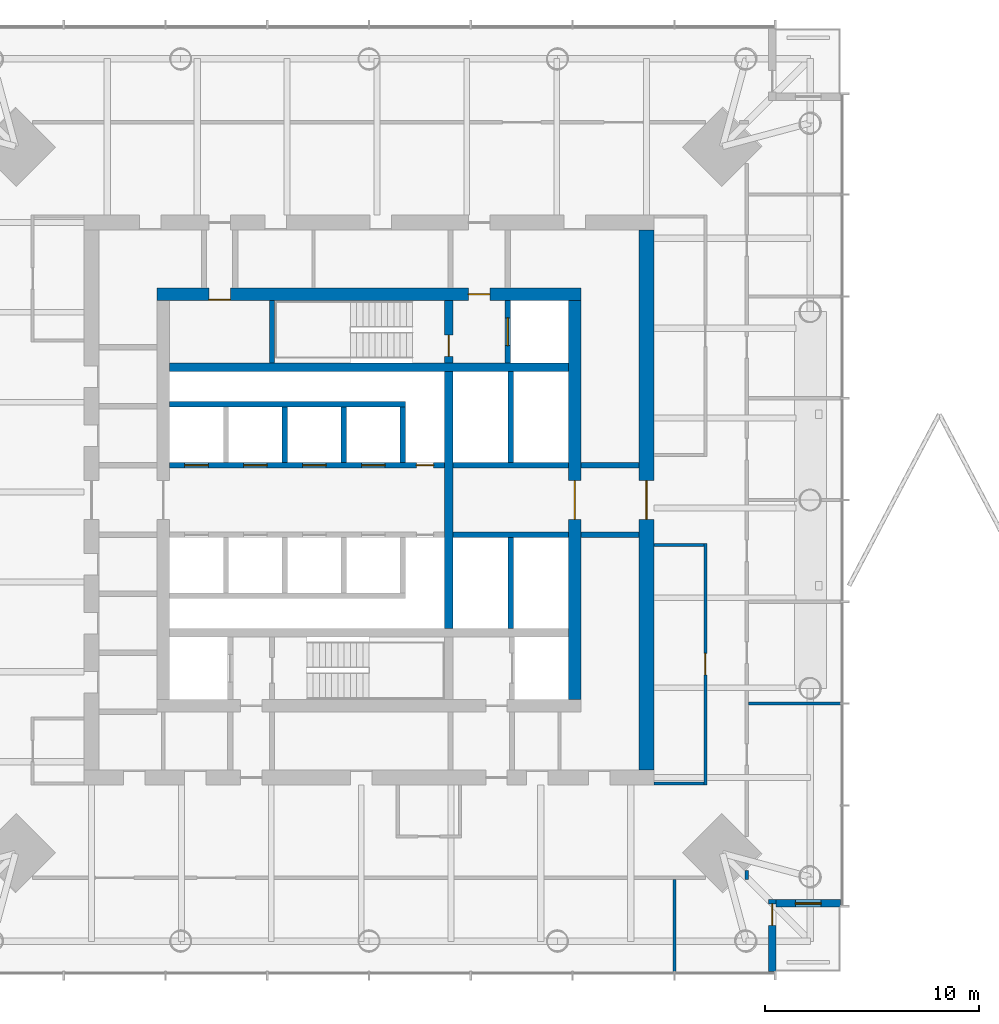
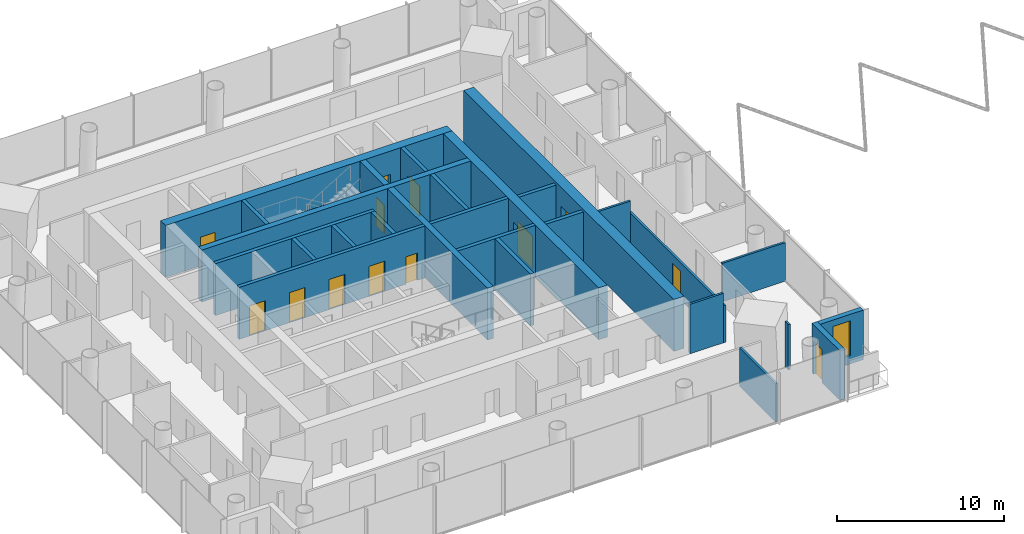
# One storey, part 11 of 19: 27 walls, 13 doors, 1 window, 14 openings.
"""IFC4 building model written with IfcOpenShell, lengths in metres."""

from ifc_helpers import new_model, si_unit, direction, frame, frame_2d, origin, place, context, subcontext, project, spatial, rectangle, extrude, material, layer, layer_set, type_object, element, fill, save


model = new_model("IFC4")

# Units and contexts
model_context = context("Model", 3, precision=1e-05, world=origin(), true_north=direction((0.0, 1.0)))
body_context = subcontext(model_context, "Body", "Model", "MODEL_VIEW")
ifc_project = project(units=[si_unit("LENGTHUNIT", "METRE"), si_unit("AREAUNIT", "SQUARE_METRE"), si_unit("VOLUMEUNIT", "CUBIC_METRE"), si_unit("PLANEANGLEUNIT", "RADIAN"), si_unit("MASSUNIT", "GRAM", prefix="KILO")], contexts=[model_context])

# Site, building, storey
site_placement = place(None, origin())
site = spatial("IfcSite", under=ifc_project, at=site_placement, CompositionType="ELEMENT")
building_placement = place(site_placement, origin())
building = spatial("IfcBuilding", under=site, at=building_placement, Name="Ostroluk Exchange", CompositionType="ELEMENT")
storey_placement = place(building_placement, frame((0.0, 0.0, 127.39990234375)))
storey = spatial("IfcBuildingStorey", under=building, at=storey_placement, Name="L32", CompositionType="ELEMENT", Elevation=127.39990234375)

# Walls
ifc_material_1 = material(Name="Concrete blockwork", Category="masonry")
ifc_layer_1 = layer(ifc_material_1, 0.25)
ifc_layer_set_1 = layer_set([ifc_layer_1], Name="Blockwork stair enclosure wall 250")
wall_type_1 = type_object("IfcWallType", Name="Blockwork stair enclosure wall 250", PredefinedType="SOLIDWALL", material=ifc_layer_set_1)
for number, where, z_axis, x_axis, name in (
    (1, (54.89990234375, 44.375, 0.0), (0.0, 0.0, 1.0), (1.0, 0.0, 0.0), "Lift lobby enclosure wall"),
    (2, (54.89990234375, 47.625, 0.0), (0.0, 0.0, 1.0), (1.0, 0.0, 0.0), "Lift lobby enclosure wall"),
):
    element("IfcWall", number, at=place(storey_placement, frame(where, z_axis=z_axis, x_axis=x_axis)), inside=storey, type_object=wall_type_1, Name=name, PredefinedType="SOLIDWALL", context=body_context, shape_type="SweptSolid", body=[
        extrude(rectangle(XDim=2.7001953125, YDim=0.25, at=frame_2d((1.35009765625, 0.0))), origin(), (0.0, 0.0, 1.0), 3.6201171875),
    ])
ifc_material_2 = material(Name="Concrete C50/60", Category="concrete")
ifc_layer_2 = layer(ifc_material_2, 0.39990234375)
ifc_layer_set_2 = layer_set([ifc_layer_2], Name="Core cross wall 400 C50/60")
wall_type_2 = type_object("IfcWallType", Name="Core cross wall 400 C50/60", PredefinedType="SHEAR", material=ifc_layer_set_2)
wall_1_placement = place(storey_placement, frame((35.699951171875, 52.199951171875, 0.0), z_axis=(0.0, 0.0, 1.0), x_axis=(1.0, 0.0, 0.0)))
element("IfcWall", 3, at=wall_1_placement, inside=storey, type_object=wall_type_2, Name="T1 core wall XN", PredefinedType="SHEAR", context=body_context, shape_type="SweptSolid", body=[
    extrude(rectangle(XDim=18.60009765625, YDim=0.39990234375, at=frame_2d((9.300048828125, 0.0))), origin(), (0.0, 0.0, 1.0), 3.800048828125),
])
wall_2_placement = place(storey_placement, frame((48.72998046875, 40.0, 0.0), z_axis=(0.0, 0.0, 1.0), x_axis=(0.0, 1.0, 0.0)))
element("IfcWall", 4, at=wall_2_placement, inside=storey, type_object=wall_type_2, Name="T1 core wall YE2", PredefinedType="SHEAR", context=body_context, shape_type="SweptSolid", body=[
    extrude(rectangle(XDim=12.0, YDim=0.39990234375, at=frame_2d((6.0, 0.0))), origin(), (0.0, 0.0, 1.0), 3.800048828125),
])

# Wall, opening, door
wall_3_placement = place(storey_placement, frame((48.72998046875, 52.39990234375, 0.0), z_axis=(0.0, 0.0, 1.0), x_axis=(0.0, 1.0, 0.0)))
wall_3 = element("IfcWall", 5, at=wall_3_placement, inside=storey, type_object=wall_type_2, Name="T1 core wall YE3", PredefinedType="SHEAR", context=body_context, shape_type="SweptSolid", body=[
    extrude(rectangle(XDim=2.900146484375, YDim=0.39990234375, at=frame_2d((1.4501953125, 0.0))), origin(), (0.0, 0.0, 1.0), 3.800048828125),
])
opening_1_placement = place(wall_3_placement, frame((0.300048828125, 0.0, 0.0)))
opening_1 = element("IfcOpeningElement", 6, at=opening_1_placement, cuts=wall_3, Name="Opening FD60", PredefinedType="OPENING", context=body_context, shape_type="SweptSolid", body=[
    extrude(rectangle(XDim=1.0, YDim=2.10009765625, at=frame_2d((0.5, 1.050048828125))), frame((0.0, 0.2099609375, 0.0), z_axis=(0.0, -1.0, 0.0), x_axis=(1.0, 0.0, 0.0)), (0.0, 0.0, 1.0), 0.419921875),
])
ifc_material_3 = material(Name="Steel", Category="steel")
door_type_1 = type_object("IfcDoorType", Name="Fire door EI 60 1000 x 2100", OperationType="SINGLE_SWING_LEFT", PredefinedType="DOOR", material=ifc_material_3)
door_1_placement = place(opening_1_placement, origin())
door_1 = element("IfcDoor", 7, at=door_1_placement, inside=storey, type_object=door_type_1, Name="Stair T1-S2 door", OperationType="SINGLE_SWING_LEFT", OverallHeight=2.10009765625, OverallWidth=1.0, PredefinedType="DOOR", context=body_context, shape_type="SweptSolid", body=[
    extrude(rectangle(XDim=1.0, YDim=2.10009765625, at=frame_2d((0.5, 1.050048828125))), frame((0.0, 0.02490234375, 0.0), z_axis=(0.0, -1.0, 0.0), x_axis=(1.0, 0.0, 0.0)), (0.0, 0.0, 1.0), 0.050048828125),
])
fill(opening_1, door_1)

# Wall
ifc_material_4 = material(Name="Concrete C40/50", Category="concrete")
ifc_layer_3 = layer(ifc_material_4, 0.25)
ifc_layer_set_3 = layer_set([ifc_layer_3], Name="Core shaft wall 250")
wall_type_3 = type_object("IfcWallType", Name="Core shaft wall 250", PredefinedType="SHEAR", material=ifc_layer_set_3)
wall_4_placement = place(storey_placement, frame((40.47509765625, 52.39990234375, 0.0), z_axis=(0.0, 0.0, 1.0), x_axis=(0.0, 1.0, 0.0)))
element("IfcWall", 8, at=wall_4_placement, inside=storey, type_object=wall_type_3, Name="Stair shaft wall", PredefinedType="SHEAR", context=body_context, shape_type="SweptSolid", body=[
    extrude(rectangle(XDim=2.900146484375, YDim=0.25, at=frame_2d((1.4501953125, 0.0))), origin(), (0.0, 0.0, 1.0), 3.800048828125),
])

# Wall, opening, door
wall_5_placement = place(storey_placement, frame((51.47509765625, 52.39990234375, 0.0), z_axis=(0.0, 0.0, 1.0), x_axis=(0.0, 1.0, 0.0)))
wall_5 = element("IfcWall", 9, at=wall_5_placement, inside=storey, type_object=wall_type_3, Name="Firefighting lift shaft wall", PredefinedType="SHEAR", context=body_context, shape_type="SweptSolid", body=[
    extrude(rectangle(XDim=2.900146484375, YDim=0.25, at=frame_2d((1.4501953125, 0.0))), origin(), (0.0, 0.0, 1.0), 3.800048828125),
])
opening_2_placement = place(wall_5_placement, frame((0.800048828125, 0.0, 0.0)))
opening_2 = element("IfcOpeningElement", 10, at=opening_2_placement, cuts=wall_5, Name="Opening LD2", PredefinedType="OPENING", context=body_context, shape_type="SweptSolid", body=[
    extrude(rectangle(XDim=1.300048828125, YDim=2.199951171875, at=frame_2d((0.64990234375, 1.10009765625))), frame((0.0, 0.135009765625, 0.0), z_axis=(0.0, -1.0, 0.0), x_axis=(1.0, 0.0, 0.0)), (0.0, 0.0, 1.0), 0.27001953125),
])
ifc_material_5 = material(Name="Stainless steel", Category="steel")
door_type_2 = type_object("IfcDoorType", Name="Lift landing door E 60 1300 x 2200", OperationType="DOUBLE_DOOR_SLIDING", PredefinedType="DOOR", material=ifc_material_5)
door_2_placement = place(opening_2_placement, origin())
door_2 = element("IfcDoor", 11, at=door_2_placement, inside=storey, type_object=door_type_2, Name="Lift FL2 landing door", OperationType="DOUBLE_DOOR_SLIDING", OverallHeight=2.199951171875, OverallWidth=1.300048828125, PredefinedType="DOOR", context=body_context, shape_type="SweptSolid", body=[
    extrude(rectangle(XDim=1.300048828125, YDim=2.199951171875, at=frame_2d((0.64990234375, 1.10009765625))), frame((0.0, 0.02490234375, 0.0), z_axis=(0.0, -1.0, 0.0), x_axis=(1.0, 0.0, 0.0)), (0.0, 0.0, 1.0), 0.050048828125),
])
fill(opening_2, door_2)

# Walls
for number, where, z_axis, x_axis, name in (
    (12, (41.074951171875, 47.75, 0.0), (0.0, 0.0, 1.0), (0.0, 1.0, 0.0), "Lift shaft wall"),
    (13, (43.824951171875, 47.75, 0.0), (0.0, 0.0, 1.0), (0.0, 1.0, 0.0), "Lift shaft wall"),
    (14, (46.574951171875, 47.75, 0.0), (0.0, 0.0, 1.0), (0.0, 1.0, 0.0), "Lift shaft wall"),
):
    element("IfcWall", number, at=place(storey_placement, frame(where, z_axis=z_axis, x_axis=x_axis)), inside=storey, type_object=wall_type_3, Name=name, PredefinedType="SHEAR", context=body_context, shape_type="SweptSolid", body=[
        extrude(rectangle(XDim=2.60009765625, YDim=0.25, at=frame_2d((1.300048828125, 0.0))), origin(), (0.0, 0.0, 1.0), 3.800048828125),
    ])
wall_6_placement = place(storey_placement, frame((35.699951171875, 50.47509765625, 0.0), z_axis=(0.0, 0.0, 1.0), x_axis=(1.0, 0.0, 0.0)))
element("IfcWall", 15, at=wall_6_placement, inside=storey, type_object=wall_type_3, Name="Lift shaft wall", PredefinedType="SHEAR", context=body_context, shape_type="SweptSolid", body=[
    extrude(rectangle(XDim=11.0, YDim=0.25, at=frame_2d((5.5, 0.0))), origin(), (0.0, 0.0, 1.0), 3.800048828125),
])

# Wall, openings, doors
wall_7_placement = place(storey_placement, frame((35.699951171875, 47.625, 0.0), z_axis=(0.0, 0.0, 1.0), x_axis=(1.0, 0.0, 0.0)))
wall_7 = element("IfcWall", 16, at=wall_7_placement, inside=storey, type_object=wall_type_3, Name="Lift shaft front wall", PredefinedType="SHEAR", context=body_context, shape_type="SweptSolid", body=[
    extrude(rectangle(XDim=12.830078125, YDim=0.25, at=frame_2d((6.4150390625, 0.0))), origin(), (0.0, 0.0, 1.0), 3.800048828125),
])
opening_3_placement = place(wall_7_placement, frame((0.699951171875, 0.0, 0.0)))
opening_3 = element("IfcOpeningElement", 17, at=opening_3_placement, cuts=wall_7, Name="Opening LD", PredefinedType="OPENING", context=body_context, shape_type="SweptSolid", body=[
    extrude(rectangle(XDim=1.10009765625, YDim=2.199951171875, at=frame_2d((0.550048828125, 1.10009765625))), frame((0.0, 0.135009765625, 0.0), z_axis=(0.0, -1.0, 0.0), x_axis=(1.0, 0.0, 0.0)), (0.0, 0.0, 1.0), 0.27001953125),
])
opening_4_placement = place(wall_7_placement, frame((3.449951171875, 0.0, 0.0)))
opening_4 = element("IfcOpeningElement", 18, at=opening_4_placement, cuts=wall_7, Name="Opening LD", PredefinedType="OPENING", context=body_context, shape_type="SweptSolid", body=[
    extrude(rectangle(XDim=1.10009765625, YDim=2.199951171875, at=frame_2d((0.550048828125, 1.10009765625))), frame((0.0, 0.135009765625, 0.0), z_axis=(0.0, -1.0, 0.0), x_axis=(1.0, 0.0, 0.0)), (0.0, 0.0, 1.0), 0.27001953125),
])
opening_5_placement = place(wall_7_placement, frame((6.199951171875, 0.0, 0.0)))
opening_5 = element("IfcOpeningElement", 19, at=opening_5_placement, cuts=wall_7, Name="Opening LD", PredefinedType="OPENING", context=body_context, shape_type="SweptSolid", body=[
    extrude(rectangle(XDim=1.10009765625, YDim=2.199951171875, at=frame_2d((0.550048828125, 1.10009765625))), frame((0.0, 0.135009765625, 0.0), z_axis=(0.0, -1.0, 0.0), x_axis=(1.0, 0.0, 0.0)), (0.0, 0.0, 1.0), 0.27001953125),
])
opening_6_placement = place(wall_7_placement, frame((8.949951171875, 0.0, 0.0)))
opening_6 = element("IfcOpeningElement", 20, at=opening_6_placement, cuts=wall_7, Name="Opening LD", PredefinedType="OPENING", context=body_context, shape_type="SweptSolid", body=[
    extrude(rectangle(XDim=1.10009765625, YDim=2.199951171875, at=frame_2d((0.550048828125, 1.10009765625))), frame((0.0, 0.135009765625, 0.0), z_axis=(0.0, -1.0, 0.0), x_axis=(1.0, 0.0, 0.0)), (0.0, 0.0, 1.0), 0.27001953125),
])
opening_7_placement = place(wall_7_placement, frame((11.514892578125, 0.0, 0.0)))
opening_7 = element("IfcOpeningElement", 21, at=opening_7_placement, cuts=wall_7, Name="Opening RD60", PredefinedType="OPENING", context=body_context, shape_type="SweptSolid", body=[
    extrude(rectangle(XDim=0.800048828125, YDim=2.0, at=frame_2d((0.39990234375, 1.0))), frame((0.0, 0.135009765625, 0.0), z_axis=(0.0, -1.0, 0.0), x_axis=(1.0, 0.0, 0.0)), (0.0, 0.0, 1.0), 0.27001953125),
])
ifc_material_6 = material(Name="Stainless steel", Category="steel")
door_type_3 = type_object("IfcDoorType", Name="Lift landing door E 60 1100 x 2200", OperationType="DOUBLE_DOOR_SLIDING", PredefinedType="DOOR", material=ifc_material_6)
door_3_placement = place(opening_3_placement, origin())
door_3 = element("IfcDoor", 22, at=door_3_placement, inside=storey, type_object=door_type_3, Name="Lift PL-M1 landing door", OperationType="DOUBLE_DOOR_SLIDING", OverallHeight=2.199951171875, OverallWidth=1.10009765625, PredefinedType="DOOR", context=body_context, shape_type="SweptSolid", body=[
    extrude(rectangle(XDim=1.10009765625, YDim=2.199951171875, at=frame_2d((0.550048828125, 1.10009765625))), frame((0.0, 0.02490234375, 0.0), z_axis=(0.0, -1.0, 0.0), x_axis=(1.0, 0.0, 0.0)), (0.0, 0.0, 1.0), 0.050048828125),
])
fill(opening_3, door_3)
door_4_placement = place(opening_4_placement, origin())
door_4 = element("IfcDoor", 23, at=door_4_placement, inside=storey, type_object=door_type_3, Name="Lift PL-M2 landing door", OperationType="DOUBLE_DOOR_SLIDING", OverallHeight=2.199951171875, OverallWidth=1.10009765625, PredefinedType="DOOR", context=body_context, shape_type="SweptSolid", body=[
    extrude(rectangle(XDim=1.10009765625, YDim=2.199951171875, at=frame_2d((0.550048828125, 1.10009765625))), frame((0.0, 0.02490234375, 0.0), z_axis=(0.0, -1.0, 0.0), x_axis=(1.0, 0.0, 0.0)), (0.0, 0.0, 1.0), 0.050048828125),
])
fill(opening_4, door_4)
door_5_placement = place(opening_5_placement, origin())
door_5 = element("IfcDoor", 24, at=door_5_placement, inside=storey, type_object=door_type_3, Name="Lift PL-M3 landing door", OperationType="DOUBLE_DOOR_SLIDING", OverallHeight=2.199951171875, OverallWidth=1.10009765625, PredefinedType="DOOR", context=body_context, shape_type="SweptSolid", body=[
    extrude(rectangle(XDim=1.10009765625, YDim=2.199951171875, at=frame_2d((0.550048828125, 1.10009765625))), frame((0.0, 0.02490234375, 0.0), z_axis=(0.0, -1.0, 0.0), x_axis=(1.0, 0.0, 0.0)), (0.0, 0.0, 1.0), 0.050048828125),
])
fill(opening_5, door_5)
door_6_placement = place(opening_6_placement, origin())
door_6 = element("IfcDoor", 25, at=door_6_placement, inside=storey, type_object=door_type_3, Name="Lift PL-M4 landing door", OperationType="DOUBLE_DOOR_SLIDING", OverallHeight=2.199951171875, OverallWidth=1.10009765625, PredefinedType="DOOR", context=body_context, shape_type="SweptSolid", body=[
    extrude(rectangle(XDim=1.10009765625, YDim=2.199951171875, at=frame_2d((0.550048828125, 1.10009765625))), frame((0.0, 0.02490234375, 0.0), z_axis=(0.0, -1.0, 0.0), x_axis=(1.0, 0.0, 0.0)), (0.0, 0.0, 1.0), 0.050048828125),
])
fill(opening_6, door_6)
ifc_material_7 = material(Name="Steel", Category="steel")
door_type_4 = type_object("IfcDoorType", Name="Riser access door EI 60 800 x 2000", OperationType="SINGLE_SWING_LEFT", PredefinedType="DOOR", material=ifc_material_7)
door_7_placement = place(opening_7_placement, origin())
door_7 = element("IfcDoor", 26, at=door_7_placement, inside=storey, type_object=door_type_4, Name="Riser access door", OperationType="SINGLE_SWING_RIGHT", OverallHeight=2.0, OverallWidth=0.800048828125, PredefinedType="DOOR", context=body_context, shape_type="SweptSolid", body=[
    extrude(rectangle(XDim=0.800048828125, YDim=2.0, at=frame_2d((0.39990234375, 1.0))), frame((0.0, 0.02490234375, 0.0), z_axis=(0.0, -1.0, 0.0), x_axis=(1.0, 0.0, 0.0)), (0.0, 0.0, 1.0), 0.050048828125),
])
fill(opening_7, door_7)

# Walls
wall_8_placement = place(storey_placement, frame((51.614990234375, 47.75, 0.0), z_axis=(0.0, 0.0, 1.0), x_axis=(0.0, 1.0, 0.0)))
element("IfcWall", 27, at=wall_8_placement, inside=storey, type_object=wall_type_3, Name="Lift shaft wall", PredefinedType="SHEAR", context=body_context, shape_type="SweptSolid", body=[
    extrude(rectangle(XDim=4.25, YDim=0.25, at=frame_2d((2.125, 0.0))), origin(), (0.0, 0.0, 1.0), 3.800048828125),
])
wall_9_placement = place(storey_placement, frame((48.929931640625, 47.625, 0.0), z_axis=(0.0, 0.0, 1.0), x_axis=(1.0, 0.0, 0.0)))
element("IfcWall", 28, at=wall_9_placement, inside=storey, type_object=wall_type_3, Name="Lift shaft front wall", PredefinedType="SHEAR", context=body_context, shape_type="SweptSolid", body=[
    extrude(rectangle(XDim=5.3701171875, YDim=0.25, at=frame_2d((2.68505859375, 0.0))), origin(), (0.0, 0.0, 1.0), 3.800048828125),
])
wall_10_placement = place(storey_placement, frame((51.614990234375, 44.25, 0.0), z_axis=(0.0, 0.0, 1.0), x_axis=(0.0, -1.0, 0.0)))
element("IfcWall", 29, at=wall_10_placement, inside=storey, type_object=wall_type_3, Name="Lift shaft wall", PredefinedType="SHEAR", context=body_context, shape_type="SweptSolid", body=[
    extrude(rectangle(XDim=4.25, YDim=0.25, at=frame_2d((2.125, 0.0))), origin(), (0.0, 0.0, 1.0), 3.800048828125),
])
wall_11_placement = place(storey_placement, frame((48.929931640625, 44.375, 0.0), z_axis=(0.0, 0.0, 1.0), x_axis=(1.0, 0.0, 0.0)))
element("IfcWall", 30, at=wall_11_placement, inside=storey, type_object=wall_type_3, Name="Lift shaft front wall", PredefinedType="SHEAR", context=body_context, shape_type="SweptSolid", body=[
    extrude(rectangle(XDim=5.3701171875, YDim=0.25, at=frame_2d((2.68505859375, 0.0))), origin(), (0.0, 0.0, 1.0), 3.800048828125),
])

# Wall, openings, doors
ifc_material_8 = material(Name="Concrete C50/60", Category="concrete")
ifc_layer_4 = layer(ifc_material_8, 0.60009765625)
ifc_layer_set_4 = layer_set([ifc_layer_4], Name="Core wall 600 C50/60")
wall_type_4 = type_object("IfcWallType", Name="Core wall 600 C50/60", PredefinedType="SHEAR", material=ifc_layer_set_4)
wall_12_placement = place(storey_placement, frame((35.10009765625, 55.60009765625, 0.0), z_axis=(0.0, 0.0, 1.0), x_axis=(1.0, 0.0, 0.0)))
wall_12 = element("IfcWall", 31, at=wall_12_placement, inside=storey, type_object=wall_type_4, Name="T1 core wall N", PredefinedType="SHEAR", context=body_context, shape_type="SweptSolid", body=[
    extrude(rectangle(XDim=19.7998046875, YDim=0.60009765625, at=frame_2d((9.89990234375, 0.0))), origin(), (0.0, 0.0, 1.0), 3.800048828125),
])
opening_8_placement = place(wall_12_placement, frame((14.5400390625, 0.0, 0.0)))
opening_8 = element("IfcOpeningElement", 32, at=opening_8_placement, cuts=wall_12, Name="Opening FD60", PredefinedType="OPENING", context=body_context, shape_type="SweptSolid", body=[
    extrude(rectangle(XDim=1.0, YDim=2.10009765625, at=frame_2d((0.5, 1.050048828125))), frame((0.0, 0.31005859375, 0.0), z_axis=(0.0, -1.0, 0.0), x_axis=(1.0, 0.0, 0.0)), (0.0, 0.0, 1.0), 0.6201171875),
])
opening_9_placement = place(wall_12_placement, frame((2.425048828125, 0.0, 0.0)))
opening_9 = element("IfcOpeningElement", 33, at=opening_9_placement, cuts=wall_12, Name="Opening FD60", PredefinedType="OPENING", context=body_context, shape_type="SweptSolid", body=[
    extrude(rectangle(XDim=1.0, YDim=2.10009765625, at=frame_2d((0.5, 1.050048828125))), frame((0.0, 0.31005859375, 0.0), z_axis=(0.0, -1.0, 0.0), x_axis=(1.0, 0.0, 0.0)), (0.0, 0.0, 1.0), 0.6201171875),
])
door_8_placement = place(opening_8_placement, origin())
door_8 = element("IfcDoor", 34, at=door_8_placement, inside=storey, type_object=door_type_1, Name="Firefighting lobby door", OperationType="SINGLE_SWING_RIGHT", OverallHeight=2.10009765625, OverallWidth=1.0, PredefinedType="DOOR", context=body_context, shape_type="SweptSolid", body=[
    extrude(rectangle(XDim=1.0, YDim=2.10009765625, at=frame_2d((0.5, 1.050048828125))), frame((0.0, 0.02490234375, 0.0), z_axis=(0.0, -1.0, 0.0), x_axis=(1.0, 0.0, 0.0)), (0.0, 0.0, 1.0), 0.050048828125),
])
fill(opening_8, door_8)
door_9_placement = place(opening_9_placement, origin())
door_9 = element("IfcDoor", 35, at=door_9_placement, inside=storey, type_object=door_type_1, Name="Tea point door", OperationType="SINGLE_SWING_LEFT", OverallHeight=2.10009765625, OverallWidth=1.0, PredefinedType="DOOR", context=body_context, shape_type="SweptSolid", body=[
    extrude(rectangle(XDim=1.0, YDim=2.10009765625, at=frame_2d((0.5, 1.050048828125))), frame((0.0, -0.23974609375, 0.0), z_axis=(0.0, -1.0, 0.0), x_axis=(1.0, 0.0, 0.0)), (0.0, 0.0, 1.0), 0.050048828125),
])
fill(opening_9, door_9)

# Wall, opening, door
wall_13_placement = place(storey_placement, frame((54.60009765625, 36.699951171875, 0.0), z_axis=(0.0, 0.0, 1.0), x_axis=(0.0, 1.0, 0.0)))
wall_13 = element("IfcWall", 36, at=wall_13_placement, inside=storey, type_object=wall_type_4, Name="T1 core wall E", PredefinedType="SHEAR", context=body_context, shape_type="SweptSolid", body=[
    extrude(rectangle(XDim=18.60009765625, YDim=0.60009765625, at=frame_2d((9.300048828125, 0.0))), origin(), (0.0, 0.0, 1.0), 3.800048828125),
])
opening_10_placement = place(wall_13_placement, frame((8.39990234375, 0.0, 0.0)))
opening_10 = element("IfcOpeningElement", 37, at=opening_10_placement, cuts=wall_13, Name="Opening FD30D", PredefinedType="OPENING", context=body_context, shape_type="SweptSolid", body=[
    extrude(rectangle(XDim=1.800048828125, YDim=2.39990234375, at=frame_2d((0.89990234375, 1.199951171875))), frame((0.0, 0.31005859375, 0.0), z_axis=(0.0, -1.0, 0.0), x_axis=(1.0, 0.0, 0.0)), (0.0, 0.0, 1.0), 0.6201171875),
])
ifc_material_9 = material(Name="Timber", Category="wood")
door_type_5 = type_object("IfcDoorType", Name="Lobby double door EI 30 1800 x 2400", OperationType="DOUBLE_DOOR_SINGLE_SWING", PredefinedType="DOOR", material=ifc_material_9)
door_10_placement = place(opening_10_placement, origin())
door_10 = element("IfcDoor", 38, at=door_10_placement, inside=storey, type_object=door_type_5, Name="Lift lobby doors", OperationType="DOUBLE_DOOR_SINGLE_SWING", OverallHeight=2.39990234375, OverallWidth=1.800048828125, PredefinedType="DOOR", context=body_context, shape_type="SweptSolid", body=[
    extrude(rectangle(XDim=1.800048828125, YDim=2.39990234375, at=frame_2d((0.89990234375, 1.199951171875))), frame((0.0, 0.02490234375, 0.0), z_axis=(0.0, -1.0, 0.0), x_axis=(1.0, 0.0, 0.0)), (0.0, 0.0, 1.0), 0.050048828125),
])
fill(opening_10, door_10)

ifc_material_10 = material(Name="Concrete C50/60", Category="concrete")
ifc_layer_5 = layer(ifc_material_10, 0.699951171875)
ifc_layer_set_5 = layer_set([ifc_layer_5], Name="Core wall 700 C50/60")
wall_type_5 = type_object("IfcWallType", Name="Core wall 700 C50/60", PredefinedType="SHEAR", material=ifc_layer_set_5)
wall_14_placement = place(storey_placement, frame((57.949951171875, 33.39990234375, 0.0), z_axis=(0.0, 0.0, 1.0), x_axis=(0.0, 1.0, 0.0)))
wall_14 = element("IfcWall", 39, at=wall_14_placement, inside=storey, type_object=wall_type_5, Name="T1 core wall RE", PredefinedType="SHEAR", context=body_context, shape_type="SweptSolid", body=[
    extrude(rectangle(XDim=25.2001953125, YDim=0.699951171875, at=frame_2d((12.60009765625, 0.0))), origin(), (0.0, 0.0, 1.0), 3.800048828125),
])
opening_11_placement = place(wall_14_placement, frame((11.699951171875, 0.0, 0.0)))
opening_11 = element("IfcOpeningElement", 40, at=opening_11_placement, cuts=wall_14, Name="Opening FD30D", PredefinedType="OPENING", context=body_context, shape_type="SweptSolid", body=[
    extrude(rectangle(XDim=1.800048828125, YDim=2.39990234375, at=frame_2d((0.89990234375, 1.199951171875))), frame((0.0, 0.35986328125, 0.0), z_axis=(0.0, -1.0, 0.0), x_axis=(1.0, 0.0, 0.0)), (0.0, 0.0, 1.0), 0.719970703125),
])
door_11_placement = place(opening_11_placement, origin())
door_11 = element("IfcDoor", 41, at=door_11_placement, inside=storey, type_object=door_type_5, Name="Lift lobby doors", OperationType="DOUBLE_DOOR_SINGLE_SWING", OverallHeight=2.39990234375, OverallWidth=1.800048828125, PredefinedType="DOOR", context=body_context, shape_type="SweptSolid", body=[
    extrude(rectangle(XDim=1.800048828125, YDim=2.39990234375, at=frame_2d((0.89990234375, 1.199951171875))), frame((0.0, 0.02490234375, 0.0), z_axis=(0.0, -1.0, 0.0), x_axis=(1.0, 0.0, 0.0)), (0.0, 0.0, 1.0), 0.050048828125),
])
fill(opening_11, door_11)

ifc_material_11 = material(Name="Limestone", Category="masonry")
ifc_layer_6 = layer(ifc_material_11, 0.35009765625)
ifc_layer_set_6 = layer_set([ifc_layer_6], Name="Limestone facade wall 350")
wall_type_6 = type_object("IfcWallType", Name="Limestone facade wall 350", PredefinedType="SOLIDWALL", material=ifc_layer_set_6)
wall_15_placement = place(storey_placement, frame((63.824951171875, 24.0, 0.0), z_axis=(0.0, 0.0, 1.0), x_axis=(0.0, 1.0, 0.0)))
wall_15 = element("IfcWall", 42, at=wall_15_placement, inside=storey, type_object=wall_type_6, Name="Office tower SE corner wall L32 a", PredefinedType="SOLIDWALL", context=body_context, shape_type="SweptSolid", body=[
    extrude(rectangle(XDim=3.35009765625, YDim=0.35009765625, at=frame_2d((1.675048828125, 0.0))), origin(), (0.0, 0.0, 1.0), 3.6201171875),
])
opening_12_placement = place(wall_15_placement, frame((2.14990234375, 0.0, 0.0)))
opening_12 = element("IfcOpeningElement", 43, at=opening_12_placement, cuts=wall_15, Name="Opening D-B1", PredefinedType="OPENING", context=body_context, shape_type="SweptSolid", body=[
    extrude(rectangle(XDim=1.0, YDim=2.39990234375, at=frame_2d((0.5, 1.199951171875))), frame((0.0, 0.18505859375, 0.0), z_axis=(0.0, -1.0, 0.0), x_axis=(1.0, 0.0, 0.0)), (0.0, 0.0, 1.0), 0.3701171875),
])
ifc_material_12 = material(Name="Bronze framed glazed door", Category="aluminium")
door_type_6 = type_object("IfcDoorType", Name="Balcony door 1000 x 2400", OperationType="SINGLE_SWING_LEFT", PredefinedType="DOOR", material=ifc_material_12)
door_12_placement = place(opening_12_placement, origin())
door_12 = element("IfcDoor", 44, at=door_12_placement, inside=storey, type_object=door_type_6, Name="Office tower SE balcony door L32", OperationType="SINGLE_SWING_RIGHT", OverallHeight=2.39990234375, OverallWidth=1.0, PredefinedType="DOOR", context=body_context, shape_type="SweptSolid", body=[
    extrude(rectangle(XDim=1.0, YDim=2.39990234375, at=frame_2d((0.5, 1.199951171875))), frame((0.0, 0.02490234375, 0.0), z_axis=(0.0, -1.0, 0.0), x_axis=(1.0, 0.0, 0.0)), (0.0, 0.0, 1.0), 0.050048828125),
])
fill(opening_12, door_12)

# Wall, opening, window
wall_16_placement = place(storey_placement, frame((64.0, 27.175048828125, 0.0), z_axis=(0.0, 0.0, 1.0), x_axis=(1.0, 0.0, 0.0)))
wall_16 = element("IfcWall", 45, at=wall_16_placement, inside=storey, type_object=wall_type_6, Name="Office tower SE corner wall L32 b", PredefinedType="SOLIDWALL", context=body_context, shape_type="SweptSolid", body=[
    extrude(rectangle(XDim=3.0, YDim=0.35009765625, at=frame_2d((1.5, 0.0))), origin(), (0.0, 0.0, 1.0), 3.6201171875),
])
opening_13_placement = place(wall_16_placement, frame((0.89990234375, 0.0, 0.60009765625)))
opening_13 = element("IfcOpeningElement", 46, at=opening_13_placement, cuts=wall_16, Name="Opening WN-L1", PredefinedType="OPENING", context=body_context, shape_type="SweptSolid", body=[
    extrude(rectangle(XDim=1.199951171875, YDim=2.550048828125, at=frame_2d((0.60009765625, 1.27490234375))), frame((0.0, 0.18505859375, 0.0), z_axis=(0.0, -1.0, 0.0), x_axis=(1.0, 0.0, 0.0)), (0.0, 0.0, 1.0), 0.3701171875),
])
ifc_material_13 = material(Name="Laminated clear glass", Category="glass")
window_type = type_object("IfcWindowType", Name="Lancet window 1200 x 2550", PartitioningType="SINGLE_PANEL", PredefinedType="WINDOW", material=ifc_material_13)
window_placement = place(opening_13_placement, origin())
window = element("IfcWindow", 47, at=window_placement, inside=storey, type_object=window_type, Name="Office tower SE lancet window L32", OverallHeight=2.550048828125, OverallWidth=1.199951171875, PartitioningType="SINGLE_PANEL", PredefinedType="WINDOW", context=body_context, shape_type="SweptSolid", body=[
    extrude(rectangle(XDim=1.199951171875, YDim=2.550048828125, at=frame_2d((0.60009765625, 1.27490234375))), frame((0.0, 0.030029296875, 0.0), z_axis=(0.0, -1.0, 0.0), x_axis=(1.0, 0.0, 0.0)), (0.0, 0.0, 1.0), 0.06005859375),
])
fill(opening_13, window)

# Wall, opening, door
ifc_material_14 = material(Name="Gypsum plasterboard partition", Category="gypsum")
ifc_layer_7 = layer(ifc_material_14, 0.14990234375)
ifc_layer_set_7 = layer_set([ifc_layer_7], Name="Plasterboard partition 150")
wall_type_7 = type_object("IfcWallType", Name="Plasterboard partition 150", PredefinedType="PARTITIONING", material=ifc_layer_set_7)
wall_17_placement = place(storey_placement, frame((60.699951171875, 32.699951171875, 0.0), z_axis=(0.0, 0.0, 1.0), x_axis=(0.0, 1.0, 0.0)))
wall_17 = element("IfcWall", 48, at=wall_17_placement, inside=storey, type_object=wall_type_7, Name="Partition", PredefinedType="PARTITIONING", context=body_context, shape_type="SweptSolid", body=[
    extrude(rectangle(XDim=11.275146484375, YDim=0.14990234375, at=frame_2d((5.6376953125, 0.0))), origin(), (0.0, 0.0, 1.0), 2.72021484375),
])
opening_14_placement = place(wall_17_placement, frame((5.137451171875, 0.0, 0.0)))
opening_14 = element("IfcOpeningElement", 49, at=opening_14_placement, cuts=wall_17, Name="Opening D-03", PredefinedType="OPENING", context=body_context, shape_type="SweptSolid", body=[
    extrude(rectangle(XDim=1.0, YDim=2.10009765625, at=frame_2d((0.5, 1.050048828125))), frame((0.0, 0.0849609375, 0.0), z_axis=(0.0, -1.0, 0.0), x_axis=(1.0, 0.0, 0.0)), (0.0, 0.0, 1.0), 0.169921875),
])
ifc_material_15 = material(Name="Timber", Category="wood")
door_type_7 = type_object("IfcDoorType", Name="Internal door 1000 x 2100", OperationType="SINGLE_SWING_LEFT", PredefinedType="DOOR", material=ifc_material_15)
door_13_placement = place(opening_14_placement, origin())
door_13 = element("IfcDoor", 50, at=door_13_placement, inside=storey, type_object=door_type_7, Name="Staff room door", OperationType="SINGLE_SWING_RIGHT", OverallHeight=2.10009765625, OverallWidth=1.0, PredefinedType="DOOR", context=body_context, shape_type="SweptSolid", body=[
    extrude(rectangle(XDim=1.0, YDim=2.10009765625, at=frame_2d((0.5, 1.050048828125))), frame((0.0, 0.02490234375, 0.0), z_axis=(0.0, -1.0, 0.0), x_axis=(1.0, 0.0, 0.0)), (0.0, 0.0, 1.0), 0.050048828125),
])
fill(opening_14, door_13)

# Walls
for number, where, z_axis, x_axis, name in (
    (51, (58.300048828125, 32.77490234375, 0.0), (0.0, 0.0, 1.0), (1.0, 0.0, 0.0), "Partition"),
    (52, (58.300048828125, 43.89990234375, 0.0), (0.0, 0.0, 1.0), (1.0, 0.0, 0.0), "Partition"),
):
    element("IfcWall", number, at=place(storey_placement, frame(where, z_axis=z_axis, x_axis=x_axis)), inside=storey, type_object=wall_type_7, Name=name, PredefinedType="PARTITIONING", context=body_context, shape_type="SweptSolid", body=[
        extrude(rectangle(XDim=2.324951171875, YDim=0.14990234375, at=frame_2d((1.16259765625, 0.0))), origin(), (0.0, 0.0, 1.0), 3.6201171875),
    ])
wall_18_placement = place(storey_placement, frame((62.625, 28.300048828125, 0.0), z_axis=(0.0, 0.0, 1.0), x_axis=(0.0, 1.0, 0.0)))
element("IfcWall", 53, at=wall_18_placement, inside=storey, type_object=wall_type_7, Name="Partition", PredefinedType="PARTITIONING", context=body_context, shape_type="SweptSolid", body=[
    extrude(rectangle(XDim=0.411376953125, YDim=0.14990234375, at=frame_2d((0.20556640625, 0.0))), origin(), (0.0, 0.0, 1.0), 3.320068359375),
])
for number, where, z_axis, x_axis, name in (
    (54, (62.699951171875, 36.5, 0.0), (0.0, 0.0, 1.0), (1.0, 0.0, 0.0), "Partition"),
    (55, (59.25, 28.300048828125, 0.0), (0.0, 0.0, 1.0), (0.0, -1.0, 0.0), "Partition"),
):
    element("IfcWall", number, at=place(storey_placement, frame(where, z_axis=z_axis, x_axis=x_axis)), inside=storey, type_object=wall_type_7, Name=name, PredefinedType="PARTITIONING", context=body_context, shape_type="SweptSolid", body=[
        extrude(rectangle(XDim=4.340087890625, YDim=0.14990234375, at=frame_2d((2.169921875, 0.0))), origin(), (0.0, 0.0, 1.0), 2.820068359375),
    ])

save(model, "model.ifc")
